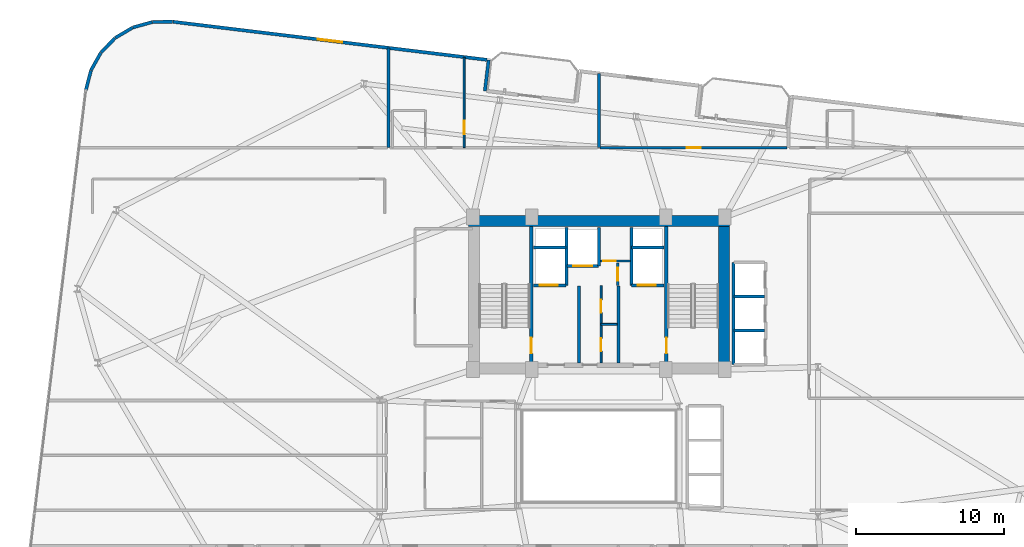
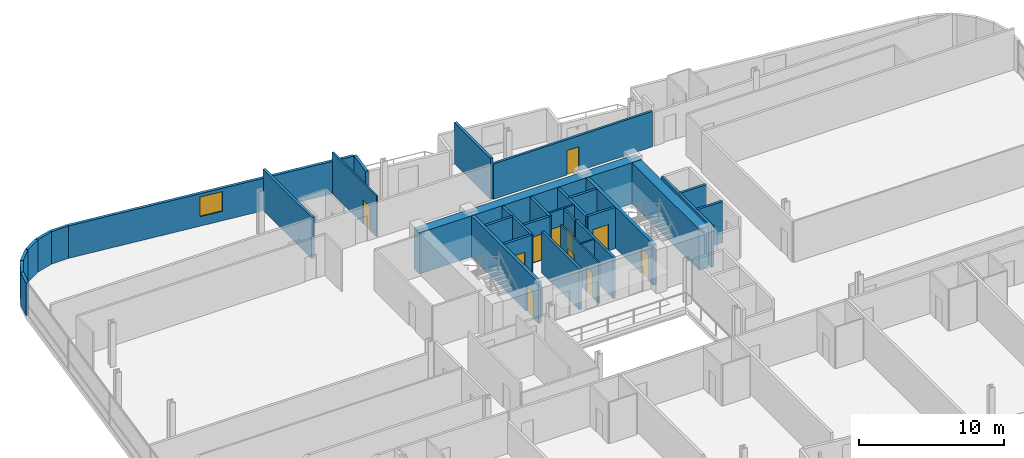
# One storey, part 22 of 26: 33 walls, 11 doors, 1 window, 12 openings.
"""IFC4 building model written with IfcOpenShell, lengths in metres."""

from ifc_helpers import new_model, si_unit, direction, frame, frame_2d, origin, place, context, subcontext, project, spatial, rectangle, extrude, material, layer, layer_set, type_object, element, fill, save


model = new_model("IFC4")

# Units and contexts
model_context = context("Model", 3, precision=1e-05, world=origin(), true_north=direction((0.0, 1.0)))
body_context = subcontext(model_context, "Body", "Model", "MODEL_VIEW")
ifc_project = project(units=[si_unit("LENGTHUNIT", "METRE"), si_unit("AREAUNIT", "SQUARE_METRE"), si_unit("VOLUMEUNIT", "CUBIC_METRE"), si_unit("PLANEANGLEUNIT", "RADIAN"), si_unit("MASSUNIT", "GRAM", prefix="KILO")], contexts=[model_context])

# Site, building, storey
site_placement = place(None, origin())
site = spatial("IfcSite", under=ifc_project, at=site_placement, CompositionType="ELEMENT")
building_placement = place(site_placement, origin())
building = spatial("IfcBuilding", under=site, at=building_placement, Name="Varnelok Gate Tower", CompositionType="ELEMENT")
storey_placement = place(building_placement, frame((0.0, 0.0, 147.60009765625)))
storey = spatial("IfcBuildingStorey", under=building, at=storey_placement, Name="L37", CompositionType="ELEMENT", Elevation=147.60009765625)

# Wall
ifc_material_1 = material(Name="Concrete C45/55", Category="concrete")
ifc_layer_1 = layer(ifc_material_1, 0.219970703125)
ifc_layer_set_1 = layer_set([ifc_layer_1], Name="Concrete C45/55")
wall_type_1 = type_object("IfcWallType", Name="EW-BALC-220", PredefinedType="SOLIDWALL", material=ifc_layer_set_1)
wall_1_placement = place(storey_placement, frame((31.50390625, 47.568115234375, 0.0), z_axis=(0.0, 0.0, 1.0), x_axis=(0.120341784665, 0.992732519294, 0.0)))
element("IfcWall", 1, at=wall_1_placement, inside=storey, type_object=wall_type_1, Name="L37 Perimeter Facade Closure Wall 31", PredefinedType="SOLIDWALL", context=body_context, shape_type="SweptSolid", body=[
    extrude(rectangle(XDim=2.099853515625, YDim=0.219970703125, at=frame_2d((1.0498046875, 0.0))), origin(), (0.0, 0.0, 1.0), 2.72998046875),
])

# Wall, opening, window
wall_2_placement = place(storey_placement, frame((31.632568359375, 49.667724609375, 0.0), z_axis=(0.0, 0.0, 1.0), x_axis=(-0.992731670483, 0.120348786531, 0.0)))
wall_2 = element("IfcWall", 2, at=wall_2_placement, inside=storey, type_object=wall_type_1, Name="L37 Perimeter Facade Closure Wall 32", PredefinedType="SOLIDWALL", context=body_context, shape_type="SweptSolid", body=[
    extrude(rectangle(XDim=21.34716796875, YDim=0.219970703125, at=frame_2d((10.673583984375, 0.0))), origin(), (0.0, 0.0, 1.0), 2.72998046875),
])
opening_1_placement = place(wall_2_placement, frame((9.8486328125, 0.0, 0.800048828125)))
opening_1 = element("IfcOpeningElement", 3, at=opening_1_placement, cuts=wall_2, Name="Opening WN3", PredefinedType="OPENING", context=body_context, shape_type="SweptSolid", body=[
    extrude(rectangle(XDim=1.64990234375, YDim=1.64990234375, at=frame_2d((0.824951171875, 0.824951171875))), frame((0.0, 0.119873046875, 0.0), z_axis=(0.0, -1.0, 0.0), x_axis=(1.0, 0.0, 0.0)), (0.0, 0.0, 1.0), 0.239990234375),
])
ifc_material_2 = material(Name="Low-E Laminated Double Glazing IGU", Category="glass")
window_type = type_object("IfcWindowType", Name="WN-HTL-1650", PartitioningType="SINGLE_PANEL", PredefinedType="WINDOW", material=ifc_material_2)
window_placement = place(opening_1_placement, origin())
window = element("IfcWindow", 4, at=window_placement, inside=storey, type_object=window_type, Name="L37 Perimeter Vision Window 32", OverallHeight=1.64990234375, OverallWidth=1.64990234375, PartitioningType="SINGLE_PANEL", PredefinedType="WINDOW", context=body_context, shape_type="SweptSolid", body=[
    extrude(rectangle(XDim=1.64990234375, YDim=1.64990234375, at=frame_2d((0.824951171875, 0.824951171875))), frame((0.0, 0.030029296875, 0.0), z_axis=(0.0, -1.0, 0.0), x_axis=(1.0, 0.0, 0.0)), (0.0, 0.0, 1.0), 0.06005859375),
])
fill(opening_1, window)

# Walls
wall_3_placement = place(storey_placement, frame((10.41552734375, 52.236572265625, 0.0), z_axis=(0.0, 0.0, 1.0), x_axis=(-0.999947718056, -0.010225514878, 0.0)))
element("IfcWall", 5, at=wall_3_placement, inside=storey, type_object=wall_type_1, Name="L37 Perimeter Facade Closure Wall 33", PredefinedType="SOLIDWALL", context=body_context, shape_type="SweptSolid", body=[
    extrude(rectangle(XDim=1.36083984375, YDim=0.219970703125, at=frame_2d((0.680419921875, 0.0))), origin(), (0.0, 0.0, 1.0), 2.72998046875),
])
for number, where, z_axis, x_axis, name in (
    (6, (9.030517578125, 52.2158203125, 0.0), (0.0, 0.0, 1.0), (-0.963227802828, -0.268686061898, 0.0), "L37 Perimeter Facade Closure Wall 34"),
    (7, (7.70556640625, 51.839599609375, 0.0), (0.0, 0.0, 1.0), (-0.860739665837, -0.509045408244, 0.0), "L37 Perimeter Facade Closure Wall 35"),
):
    element("IfcWall", number, at=place(storey_placement, frame(where, z_axis=z_axis, x_axis=x_axis)), inside=storey, type_object=wall_type_1, Name=name, PredefinedType="SOLIDWALL", context=body_context, shape_type="SweptSolid", body=[
        extrude(rectangle(XDim=1.35302734375, YDim=0.219970703125, at=frame_2d((0.676513671875, 0.0))), origin(), (0.0, 0.0, 1.0), 2.72998046875),
    ])
wall_4_placement = place(storey_placement, frame((6.5234375, 51.13330078125, 0.0), z_axis=(0.0, 0.0, 1.0), x_axis=(-0.699762925925, -0.714375144795, 0.0)))
element("IfcWall", 8, at=wall_4_placement, inside=storey, type_object=wall_type_1, Name="L37 Perimeter Facade Closure Wall 36", PredefinedType="SOLIDWALL", context=body_context, shape_type="SweptSolid", body=[
    extrude(rectangle(XDim=1.353271484375, YDim=0.219970703125, at=frame_2d((0.6767578125, 0.0))), origin(), (0.0, 0.0, 1.0), 2.72998046875),
])
wall_5_placement = place(storey_placement, frame((5.564208984375, 50.144775390625, 0.0), z_axis=(0.0, 0.0, 1.0), x_axis=(-0.491117621399, -0.871093268227, 0.0)))
element("IfcWall", 9, at=wall_5_placement, inside=storey, type_object=wall_type_1, Name="L37 Perimeter Facade Closure Wall 37", PredefinedType="SOLIDWALL", context=body_context, shape_type="SweptSolid", body=[
    extrude(rectangle(XDim=1.35302734375, YDim=0.219970703125, at=frame_2d((0.676513671875, 0.0))), origin(), (0.0, 0.0, 1.0), 2.72998046875),
])
wall_6_placement = place(storey_placement, frame((4.8935546875, 48.94189453125, 0.0), z_axis=(0.0, 0.0, 1.0), x_axis=(-0.248857256909, -0.968540172468, 0.0)))
element("IfcWall", 10, at=wall_6_placement, inside=storey, type_object=wall_type_1, Name="L37 Perimeter Facade Closure Wall 38", PredefinedType="SOLIDWALL", context=body_context, shape_type="SweptSolid", body=[
    extrude(rectangle(XDim=1.352783203125, YDim=0.219970703125, at=frame_2d((0.67626953125, 0.0))), origin(), (0.0, 0.0, 1.0), 2.72998046875),
])

# Wall, opening, door
ifc_material_3 = material(Name="Gypsum Plasterboard Acoustic Partition", Category="gypsum")
ifc_layer_2 = layer(ifc_material_3, 0.179931640625)
ifc_layer_set_2 = layer_set([ifc_layer_2], Name="Gypsum Plasterboard Acoustic Partition")
wall_type_2 = type_object("IfcWallType", Name="PW-CORR-180", PredefinedType="PARTITIONING", material=ifc_layer_set_2)
wall_7_placement = place(storey_placement, frame((39.280029296875, 43.72998046875, 0.0), z_axis=(0.0, 0.0, 1.0), x_axis=(1.0, 0.0, 0.0)))
wall_7 = element("IfcWall", 11, at=wall_7_placement, inside=storey, type_object=wall_type_2, Name="Interior Partition", PredefinedType="PARTITIONING", context=body_context, shape_type="SweptSolid", body=[
    extrude(rectangle(XDim=12.639892578125, YDim=0.179931640625, at=frame_2d((6.31982421875, 0.0))), origin(), (0.0, 0.0, 1.0), 2.971923828125),
])
opening_2_placement = place(wall_7_placement, frame((5.844970703125, 0.0, 0.0)))
opening_2 = element("IfcOpeningElement", 12, at=opening_2_placement, cuts=wall_7, Name="Opening D-I2", PredefinedType="OPENING", context=body_context, shape_type="SweptSolid", body=[
    extrude(rectangle(XDim=0.949951171875, YDim=2.050048828125, at=frame_2d((0.47509765625, 1.02490234375))), frame((0.0, 0.099853515625, 0.0), z_axis=(0.0, -1.0, 0.0), x_axis=(1.0, 0.0, 0.0)), (0.0, 0.0, 1.0), 0.199951171875),
])
ifc_material_4 = material(Name="Engineered Hardwood Timber", Category="wood")
door_type_1 = type_object("IfcDoorType", Name="DR-INT-950", OperationType="NOTDEFINED", PredefinedType="DOOR", material=ifc_material_4)
door_1_placement = place(opening_2_placement, origin())
door_1 = element("IfcDoor", 13, at=door_1_placement, inside=storey, type_object=door_type_1, Name="L37 Sky Library Door", OperationType="SINGLE_SWING_LEFT", OverallHeight=2.050048828125, OverallWidth=0.949951171875, PredefinedType="DOOR", context=body_context, shape_type="SweptSolid", body=[
    extrude(rectangle(XDim=0.949951171875, YDim=2.050048828125, at=frame_2d((0.47509765625, 1.02490234375))), frame((0.0, 0.02490234375, 0.0), z_axis=(0.0, -1.0, 0.0), x_axis=(1.0, 0.0, 0.0)), (0.0, 0.0, 1.0), 0.050048828125),
])
fill(opening_2, door_1)

ifc_layer_3 = layer(ifc_material_3, 0.125)
ifc_layer_set_3 = layer_set([ifc_layer_3], Name="Gypsum Plasterboard Acoustic Partition")
wall_type_3 = type_object("IfcWallType", Name="PW-PART-125", PredefinedType="PARTITIONING", material=ifc_layer_set_3)
wall_8_placement = place(storey_placement, frame((30.10009765625, 43.72998046875, 0.0), z_axis=(0.0, 0.0, 1.0), x_axis=(0.0, 1.0, 0.0)))
wall_8 = element("IfcWall", 14, at=wall_8_placement, inside=storey, type_object=wall_type_3, Name="Interior Partition", PredefinedType="PARTITIONING", context=body_context, shape_type="SweptSolid", body=[
    extrude(rectangle(XDim=6.103515625, YDim=0.125, at=frame_2d((3.0517578125, 0.0))), origin(), (0.0, 0.0, 1.0), 3.449951171875),
])
opening_3_placement = place(wall_8_placement, frame((0.89453125, 0.0, 0.0)))
opening_3 = element("IfcOpeningElement", 15, at=opening_3_placement, cuts=wall_8, Name="Opening D-I3", PredefinedType="OPENING", context=body_context, shape_type="SweptSolid", body=[
    extrude(rectangle(XDim=0.919921875, YDim=2.050048828125, at=frame_2d((0.4599609375, 1.02490234375))), frame((0.0, 0.072509765625, 0.0), z_axis=(0.0, -1.0, 0.0), x_axis=(1.0, 0.0, 0.0)), (0.0, 0.0, 1.0), 0.14501953125),
])
door_type_2 = type_object("IfcDoorType", Name="DR-INT-920", OperationType="NOTDEFINED", PredefinedType="DOOR", material=ifc_material_4)
door_2_placement = place(opening_3_placement, origin())
door_2 = element("IfcDoor", 16, at=door_2_placement, inside=storey, type_object=door_type_2, Name="L37 Suite Bedroom Door 9", OperationType="SINGLE_SWING_LEFT", OverallHeight=2.050048828125, OverallWidth=0.919921875, PredefinedType="DOOR", context=body_context, shape_type="SweptSolid", body=[
    extrude(rectangle(XDim=0.919921875, YDim=2.050048828125, at=frame_2d((0.4599609375, 1.02490234375))), frame((0.0, 0.02490234375, 0.0), z_axis=(0.0, -1.0, 0.0), x_axis=(1.0, 0.0, 0.0)), (0.0, 0.0, 1.0), 0.050048828125),
])
fill(opening_3, door_2)

# Wall
wall_9_placement = place(storey_placement, frame((39.35009765625, 31.800048828125, 0.0), z_axis=(0.0, 0.0, 1.0), x_axis=(1.0, 0.0, 0.0)))
element("IfcWall", 17, at=wall_9_placement, inside=storey, type_object=wall_type_3, Name="Interior Partition", PredefinedType="PARTITIONING", context=body_context, shape_type="SweptSolid", body=[
    extrude(rectangle(XDim=1.08984375, YDim=0.125, at=frame_2d((0.544921875, 0.0))), origin(), (0.0, 0.0, 1.0), 3.449951171875),
])

# Wall, openings, doors
wall_10_placement = place(storey_placement, frame((39.35009765625, 29.199951171875, 0.0), z_axis=(0.0, 0.0, 1.0), x_axis=(0.0, 1.0, 0.0)))
wall_10 = element("IfcWall", 18, at=wall_10_placement, inside=storey, type_object=wall_type_3, Name="Interior Partition", PredefinedType="PARTITIONING", context=body_context, shape_type="SweptSolid", body=[
    extrude(rectangle(XDim=5.219970703125, YDim=0.125, at=frame_2d((2.60986328125, 0.0))), origin(), (0.0, 0.0, 1.0), 3.449951171875),
])
opening_4_placement = place(wall_10_placement, frame((0.800048828125, 0.0, 0.0)))
opening_4 = element("IfcOpeningElement", 19, at=opening_4_placement, cuts=wall_10, Name="Opening D-RS", PredefinedType="OPENING", context=body_context, shape_type="SweptSolid", body=[
    extrude(rectangle(XDim=0.85009765625, YDim=2.050048828125, at=frame_2d((0.425048828125, 1.02490234375))), frame((0.0, 0.072509765625, 0.0), z_axis=(0.0, -1.0, 0.0), x_axis=(1.0, 0.0, 0.0)), (0.0, 0.0, 1.0), 0.14501953125),
])
opening_5_placement = place(wall_10_placement, frame((3.39990234375, 0.0, 0.0)))
opening_5 = element("IfcOpeningElement", 20, at=opening_5_placement, cuts=wall_10, Name="Opening D-RS", PredefinedType="OPENING", context=body_context, shape_type="SweptSolid", body=[
    extrude(rectangle(XDim=0.85009765625, YDim=2.050048828125, at=frame_2d((0.425048828125, 1.02490234375))), frame((0.0, 0.072509765625, 0.0), z_axis=(0.0, -1.0, 0.0), x_axis=(1.0, 0.0, 0.0)), (0.0, 0.0, 1.0), 0.14501953125),
])
ifc_material_5 = material(Name="Galvanized Steel Grade S350GD", Category="steel")
door_type_3 = type_object("IfcDoorType", Name="DR-RISER-850", OperationType="NOTDEFINED", PredefinedType="DOOR", material=ifc_material_5)
door_3_placement = place(opening_4_placement, origin())
door_3 = element("IfcDoor", 21, at=door_3_placement, inside=storey, type_object=door_type_3, Name="L37 Housekeeping Linen Door", OperationType="SINGLE_SWING_RIGHT", OverallHeight=2.050048828125, OverallWidth=0.85009765625, PredefinedType="DOOR", context=body_context, shape_type="SweptSolid", body=[
    extrude(rectangle(XDim=0.85009765625, YDim=2.050048828125, at=frame_2d((0.425048828125, 1.02490234375))), frame((0.0, 0.02490234375, 0.0), z_axis=(0.0, -1.0, 0.0), x_axis=(1.0, 0.0, 0.0)), (0.0, 0.0, 1.0), 0.050048828125),
])
fill(opening_4, door_3)
door_4_placement = place(opening_5_placement, origin())
door_4 = element("IfcDoor", 22, at=door_4_placement, inside=storey, type_object=door_type_3, Name="L37 Core Supply Door", OperationType="SINGLE_SWING_LEFT", OverallHeight=2.050048828125, OverallWidth=0.85009765625, PredefinedType="DOOR", context=body_context, shape_type="SweptSolid", body=[
    extrude(rectangle(XDim=0.85009765625, YDim=2.050048828125, at=frame_2d((0.425048828125, 1.02490234375))), frame((0.0, 0.02490234375, 0.0), z_axis=(0.0, -1.0, 0.0), x_axis=(1.0, 0.0, 0.0)), (0.0, 0.0, 1.0), 0.050048828125),
])
fill(opening_5, door_4)

# Wall, opening, door
ifc_layer_4 = layer(ifc_material_3, 0.14990234375)
ifc_layer_set_4 = layer_set([ifc_layer_4], Name="Gypsum Plasterboard Acoustic Partition")
wall_type_4 = type_object("IfcWallType", Name="PW-PART-150", PredefinedType="PARTITIONING", material=ifc_layer_set_4)
wall_11_placement = place(storey_placement, frame((39.300048828125, 36.080078125, 0.0), z_axis=(0.0, 0.0, 1.0), x_axis=(1.0, 0.0, 0.0)))
wall_11 = element("IfcWall", 23, at=wall_11_placement, inside=storey, type_object=wall_type_4, Name="L37 Electrical Closet South Wall", PredefinedType="PARTITIONING", context=body_context, shape_type="SweptSolid", body=[
    extrude(rectangle(XDim=2.02001953125, YDim=0.14990234375, at=frame_2d((1.010009765625, 0.0))), origin(), (0.0, 0.0, 1.0), 3.449951171875),
])
opening_6_placement = place(wall_11_placement, frame((0.179931640625, 0.0, 0.0)))
opening_6 = element("IfcOpeningElement", 24, at=opening_6_placement, cuts=wall_11, Name="Opening D-RS", PredefinedType="OPENING", context=body_context, shape_type="SweptSolid", body=[
    extrude(rectangle(XDim=0.85009765625, YDim=2.050048828125, at=frame_2d((0.425048828125, 1.02490234375))), frame((0.0, 0.0849609375, 0.0), z_axis=(0.0, -1.0, 0.0), x_axis=(1.0, 0.0, 0.0)), (0.0, 0.0, 1.0), 0.169921875),
])
door_5_placement = place(opening_6_placement, origin())
door_5 = element("IfcDoor", 25, at=door_5_placement, inside=storey, type_object=door_type_3, Name="L37 Electrical Closet Door", OperationType="SINGLE_SWING_RIGHT", OverallHeight=2.050048828125, OverallWidth=0.85009765625, PredefinedType="DOOR", context=body_context, shape_type="SweptSolid", body=[
    extrude(rectangle(XDim=0.85009765625, YDim=2.050048828125, at=frame_2d((0.425048828125, 1.02490234375))), frame((0.0, 0.02490234375, 0.0), z_axis=(0.0, -1.0, 0.0), x_axis=(1.0, 0.0, 0.0)), (0.0, 0.0, 1.0), 0.050048828125),
])
fill(opening_6, door_5)

wall_12_placement = place(storey_placement, frame((40.47998046875, 34.43994140625, 0.0), z_axis=(0.0, 0.0, 1.0), x_axis=(0.0, 1.0, 0.0)))
wall_12 = element("IfcWall", 26, at=wall_12_placement, inside=storey, type_object=wall_type_4, Name="L37 Telecoms Closet West Wall", PredefinedType="PARTITIONING", context=body_context, shape_type="SweptSolid", body=[
    extrude(rectangle(XDim=1.52001953125, YDim=0.14990234375, at=frame_2d((0.760009765625, 0.0))), origin(), (0.0, 0.0, 1.0), 3.449951171875),
])
opening_7_placement = place(wall_12_placement, frame((0.320068359375, 0.0, 0.0)))
opening_7 = element("IfcOpeningElement", 27, at=opening_7_placement, cuts=wall_12, Name="Opening D-RS", PredefinedType="OPENING", context=body_context, shape_type="SweptSolid", body=[
    extrude(rectangle(XDim=0.85009765625, YDim=2.050048828125, at=frame_2d((0.425048828125, 1.02490234375))), frame((0.0, 0.0849609375, 0.0), z_axis=(0.0, -1.0, 0.0), x_axis=(1.0, 0.0, 0.0)), (0.0, 0.0, 1.0), 0.169921875),
])
door_6_placement = place(opening_7_placement, origin())
door_6 = element("IfcDoor", 28, at=door_6_placement, inside=storey, type_object=door_type_3, Name="L37 Telecoms Closet Door", OperationType="SINGLE_SWING_LEFT", OverallHeight=2.050048828125, OverallWidth=0.85009765625, PredefinedType="DOOR", context=body_context, shape_type="SweptSolid", body=[
    extrude(rectangle(XDim=0.85009765625, YDim=2.050048828125, at=frame_2d((0.425048828125, 1.02490234375))), frame((0.0, 0.02490234375, 0.0), z_axis=(0.0, -1.0, 0.0), x_axis=(1.0, 0.0, 0.0)), (0.0, 0.0, 1.0), 0.050048828125),
])
fill(opening_7, door_6)

# Walls
ifc_layer_5 = layer(ifc_material_3, 0.205078125)
ifc_layer_set_5 = layer_set([ifc_layer_5], Name="Gypsum Plasterboard Acoustic Partition")
wall_type_5 = type_object("IfcWallType", Name="PW-PARTY-200", PredefinedType="PARTITIONING", material=ifc_layer_set_5)
wall_13_placement = place(storey_placement, frame((25.0, 43.72998046875, 0.0), z_axis=(0.0, 0.0, 1.0), x_axis=(0.0, 1.0, 0.0)))
element("IfcWall", 29, at=wall_13_placement, inside=storey, type_object=wall_type_5, Name="L37 North Party Wall 1", PredefinedType="PARTITIONING", context=body_context, shape_type="SweptSolid", body=[
    extrude(rectangle(XDim=6.7216796875, YDim=0.205078125, at=frame_2d((3.36083984375, 0.0))), origin(), (0.0, 0.0, 1.0), 3.449951171875),
])
wall_14_placement = place(storey_placement, frame((39.199951171875, 43.72998046875, 0.0), z_axis=(0.0, 0.0, 1.0), x_axis=(0.0, 1.0, 0.0)))
element("IfcWall", 30, at=wall_14_placement, inside=storey, type_object=wall_type_5, Name="L37 North Party Wall 2", PredefinedType="PARTITIONING", context=body_context, shape_type="SweptSolid", body=[
    extrude(rectangle(XDim=5.000244140625, YDim=0.205078125, at=frame_2d((2.5, 0.0))), origin(), (0.0, 0.0, 1.0), 3.449951171875),
])
ifc_material_6 = material(Name="Concrete C35/45", Category="concrete")
ifc_layer_6 = layer(ifc_material_6, 0.199951171875)
ifc_layer_set_6 = layer_set([ifc_layer_6], Name="Concrete C35/45")
wall_type_6 = type_object("IfcWallType", Name="PW-SHAFT-200", PredefinedType="PARTITIONING", material=ifc_layer_set_6)
for number, where, z_axis, x_axis, name in (
    (31, (37.860107421875, 29.199951171875, 0.0), (0.0, 0.0, 1.0), (0.0, 1.0, 0.0), "L37 West FF Lobby Rated Wall"),
    (32, (40.5400390625, 29.199951171875, 0.0), (0.0, 0.0, 1.0), (0.0, 1.0, 0.0), "L37 East FF Lobby Rated Wall"),
):
    element("IfcWall", number, at=place(storey_placement, frame(where, z_axis=z_axis, x_axis=x_axis)), inside=storey, type_object=wall_type_6, Name=name, PredefinedType="PARTITIONING", context=body_context, shape_type="SweptSolid", body=[
        extrude(rectangle(XDim=5.179931640625, YDim=0.199951171875, at=frame_2d((2.58984375, 0.0))), origin(), (0.0, 0.0, 1.0), 3.449951171875),
    ])

# Wall, opening, door
wall_15_placement = place(storey_placement, frame((34.800048828125, 34.43994140625, 0.0), z_axis=(0.0, 0.0, 1.0), x_axis=(1.0, 0.0, 0.0)))
wall_15 = element("IfcWall", 33, at=wall_15_placement, inside=storey, type_object=wall_type_6, Name="L37 FF1 Shaft Front Wall", PredefinedType="PARTITIONING", context=body_context, shape_type="SweptSolid", body=[
    extrude(rectangle(XDim=2.179931640625, YDim=0.199951171875, at=frame_2d((1.08984375, 0.0))), origin(), (0.0, 0.0, 1.0), 3.449951171875),
])
opening_8_placement = place(wall_15_placement, frame((0.419921875, 0.0, 0.0)))
opening_8 = element("IfcOpeningElement", 34, at=opening_8_placement, cuts=wall_15, Name="Opening LD-FF1", PredefinedType="OPENING", context=body_context, shape_type="SweptSolid", body=[
    extrude(rectangle(XDim=1.199951171875, YDim=2.199951171875, at=frame_2d((0.60009765625, 1.10009765625))), frame((0.0, 0.10986328125, 0.0), z_axis=(0.0, -1.0, 0.0), x_axis=(1.0, 0.0, 0.0)), (0.0, 0.0, 1.0), 0.219970703125),
])
door_type_4 = type_object("IfcDoorType", Name="DR-LIFT-FF1200", OperationType="SLIDING_TO_LEFT", PredefinedType="DOOR", material=ifc_material_5)
door_7_placement = place(opening_8_placement, origin())
door_7 = element("IfcDoor", 35, at=door_7_placement, inside=storey, type_object=door_type_4, Name="L37 Firefighting Lift Landing Door LD-FF1", OperationType="SLIDING_TO_LEFT", OverallHeight=2.199951171875, OverallWidth=1.199951171875, PredefinedType="DOOR", context=body_context, shape_type="SweptSolid", body=[
    extrude(rectangle(XDim=1.199951171875, YDim=2.199951171875, at=frame_2d((0.60009765625, 1.10009765625))), frame((0.0, 0.02490234375, 0.0), z_axis=(0.0, -1.0, 0.0), x_axis=(1.0, 0.0, 0.0)), (0.0, 0.0, 1.0), 0.050048828125),
])
fill(opening_8, door_7)

# Walls
wall_16_placement = place(storey_placement, frame((34.800048828125, 36.97998046875, 0.0), z_axis=(0.0, 0.0, 1.0), x_axis=(1.0, 0.0, 0.0)))
element("IfcWall", 36, at=wall_16_placement, inside=storey, type_object=wall_type_6, Name="L37 FF1 Shaft North Wall", PredefinedType="PARTITIONING", context=body_context, shape_type="SweptSolid", body=[
    extrude(rectangle(XDim=2.179931640625, YDim=0.199951171875, at=frame_2d((1.08984375, 0.0))), origin(), (0.0, 0.0, 1.0), 3.449951171875),
])
wall_17_placement = place(storey_placement, frame((37.0, 34.43994140625, 0.0), z_axis=(0.0, 0.0, 1.0), x_axis=(0.0, 1.0, 0.0)))
element("IfcWall", 37, at=wall_17_placement, inside=storey, type_object=wall_type_6, Name="L37 FF1 Shaft Side Wall", PredefinedType="PARTITIONING", context=body_context, shape_type="SweptSolid", body=[
    extrude(rectangle(XDim=3.900146484375, YDim=0.199951171875, at=frame_2d((1.9501953125, 0.0))), origin(), (0.0, 0.0, 1.0), 3.449951171875),
])

# Wall, opening, door
wall_18_placement = place(storey_placement, frame((41.419921875, 34.43994140625, 0.0), z_axis=(0.0, 0.0, 1.0), x_axis=(1.0, 0.0, 0.0)))
wall_18 = element("IfcWall", 38, at=wall_18_placement, inside=storey, type_object=wall_type_6, Name="L37 FF2 Shaft Front Wall", PredefinedType="PARTITIONING", context=body_context, shape_type="SweptSolid", body=[
    extrude(rectangle(XDim=2.18017578125, YDim=0.199951171875, at=frame_2d((1.090087890625, 0.0))), origin(), (0.0, 0.0, 1.0), 3.449951171875),
])
opening_9_placement = place(wall_18_placement, frame((0.419921875, 0.0, 0.0)))
opening_9 = element("IfcOpeningElement", 39, at=opening_9_placement, cuts=wall_18, Name="Opening LD-FF2", PredefinedType="OPENING", context=body_context, shape_type="SweptSolid", body=[
    extrude(rectangle(XDim=1.199951171875, YDim=2.199951171875, at=frame_2d((0.60009765625, 1.10009765625))), frame((0.0, 0.10986328125, 0.0), z_axis=(0.0, -1.0, 0.0), x_axis=(1.0, 0.0, 0.0)), (0.0, 0.0, 1.0), 0.219970703125),
])
door_8_placement = place(opening_9_placement, origin())
door_8 = element("IfcDoor", 40, at=door_8_placement, inside=storey, type_object=door_type_4, Name="L37 Firefighting Lift Landing Door LD-FF2", OperationType="SLIDING_TO_LEFT", OverallHeight=2.199951171875, OverallWidth=1.199951171875, PredefinedType="DOOR", context=body_context, shape_type="SweptSolid", body=[
    extrude(rectangle(XDim=1.199951171875, YDim=2.199951171875, at=frame_2d((0.60009765625, 1.10009765625))), frame((0.0, 0.02490234375, 0.0), z_axis=(0.0, -1.0, 0.0), x_axis=(1.0, 0.0, 0.0)), (0.0, 0.0, 1.0), 0.050048828125),
])
fill(opening_9, door_8)

# Walls
wall_19_placement = place(storey_placement, frame((41.419921875, 36.97998046875, 0.0), z_axis=(0.0, 0.0, 1.0), x_axis=(1.0, 0.0, 0.0)))
element("IfcWall", 41, at=wall_19_placement, inside=storey, type_object=wall_type_6, Name="L37 FF2 Shaft North Wall", PredefinedType="PARTITIONING", context=body_context, shape_type="SweptSolid", body=[
    extrude(rectangle(XDim=2.18017578125, YDim=0.199951171875, at=frame_2d((1.090087890625, 0.0))), origin(), (0.0, 0.0, 1.0), 3.449951171875),
])
wall_20_placement = place(storey_placement, frame((41.39990234375, 34.43994140625, 0.0), z_axis=(0.0, 0.0, 1.0), x_axis=(0.0, 1.0, 0.0)))
element("IfcWall", 42, at=wall_20_placement, inside=storey, type_object=wall_type_6, Name="L37 FF2 Shaft Side Wall", PredefinedType="PARTITIONING", context=body_context, shape_type="SweptSolid", body=[
    extrude(rectangle(XDim=3.900146484375, YDim=0.199951171875, at=frame_2d((1.9501953125, 0.0))), origin(), (0.0, 0.0, 1.0), 3.449951171875),
])

# Wall, opening, door
wall_21_placement = place(storey_placement, frame((37.06005859375, 35.75, 0.0), z_axis=(0.0, 0.0, 1.0), x_axis=(1.0, 0.0, 0.0)))
wall_21 = element("IfcWall", 43, at=wall_21_placement, inside=storey, type_object=wall_type_6, Name="L37 SV1 Shaft Front Wall", PredefinedType="PARTITIONING", context=body_context, shape_type="SweptSolid", body=[
    extrude(rectangle(XDim=2.119873046875, YDim=0.199951171875, at=frame_2d((1.06005859375, 0.0))), origin(), (0.0, 0.0, 1.0), 3.449951171875),
])
opening_10_placement = place(wall_21_placement, frame((0.39990234375, 0.0, 0.0)))
opening_10 = element("IfcOpeningElement", 44, at=opening_10_placement, cuts=wall_21, Name="Opening LD-SV1", PredefinedType="OPENING", context=body_context, shape_type="SweptSolid", body=[
    extrude(rectangle(XDim=1.300048828125, YDim=2.199951171875, at=frame_2d((0.64990234375, 1.10009765625))), frame((0.0, 0.10986328125, 0.0), z_axis=(0.0, -1.0, 0.0), x_axis=(1.0, 0.0, 0.0)), (0.0, 0.0, 1.0), 0.219970703125),
])
door_type_5 = type_object("IfcDoorType", Name="DR-LIFT-SV1300", OperationType="SLIDING_TO_LEFT", PredefinedType="DOOR", material=ifc_material_5)
door_9_placement = place(opening_10_placement, origin())
door_9 = element("IfcDoor", 45, at=door_9_placement, inside=storey, type_object=door_type_5, Name="L37 Service Lift Landing Door LD-SV1", OperationType="SLIDING_TO_LEFT", OverallHeight=2.199951171875, OverallWidth=1.300048828125, PredefinedType="DOOR", context=body_context, shape_type="SweptSolid", body=[
    extrude(rectangle(XDim=1.300048828125, YDim=2.199951171875, at=frame_2d((0.64990234375, 1.10009765625))), frame((0.0, 0.02490234375, 0.0), z_axis=(0.0, -1.0, 0.0), x_axis=(1.0, 0.0, 0.0)), (0.0, 0.0, 1.0), 0.050048828125),
])
fill(opening_10, door_9)

# Walls
wall_22_placement = place(storey_placement, frame((39.219970703125, 35.75, 0.0), z_axis=(0.0, 0.0, 1.0), x_axis=(0.0, 1.0, 0.0)))
element("IfcWall", 46, at=wall_22_placement, inside=storey, type_object=wall_type_6, Name="L37 SV1 Shaft East Wall", PredefinedType="PARTITIONING", context=body_context, shape_type="SweptSolid", body=[
    extrude(rectangle(XDim=2.590087890625, YDim=0.199951171875, at=frame_2d((1.294921875, 0.0))), origin(), (0.0, 0.0, 1.0), 3.449951171875),
])
for number, where, z_axis, x_axis, name in (
    (47, (48.320068359375, 31.375, 0.0), (0.0, 0.0, 1.0), (1.0, 0.0, 0.0), "L37 PM1 Divider"),
    (48, (48.320068359375, 33.675048828125, 0.0), (0.0, 0.0, 1.0), (1.0, 0.0, 0.0), "L37 PM2 Divider"),
):
    element("IfcWall", number, at=place(storey_placement, frame(where, z_axis=z_axis, x_axis=x_axis)), inside=storey, type_object=wall_type_6, Name=name, PredefinedType="PARTITIONING", context=body_context, shape_type="SweptSolid", body=[
        extrude(rectangle(XDim=2.059814453125, YDim=0.199951171875, at=frame_2d((1.02978515625, 0.0))), origin(), (0.0, 0.0, 1.0), 3.449951171875),
    ])
wall_23_placement = place(storey_placement, frame((48.280029296875, 29.080078125, 0.0), z_axis=(0.0, 0.0, 1.0), x_axis=(0.0, 1.0, 0.0)))
element("IfcWall", 49, at=wall_23_placement, inside=storey, type_object=wall_type_6, Name="L37 PM Bank Back Wall", PredefinedType="PARTITIONING", context=body_context, shape_type="SweptSolid", body=[
    extrude(rectangle(XDim=6.889892578125, YDim=0.199951171875, at=frame_2d((3.44482421875, 0.0))), origin(), (0.0, 0.0, 1.0), 3.449951171875),
])
ifc_material_7 = material(Name="Concrete C70/85", Category="concrete")
ifc_layer_7 = layer(ifc_material_7, 0.75)
ifc_layer_set_7 = layer_set([ifc_layer_7], Name="Concrete C70/85")
wall_type_7 = type_object("IfcWallType", Name="SW-CORE-750", PredefinedType="SHEAR", material=ifc_layer_set_7)
wall_24_placement = place(storey_placement, frame((30.3798828125, 38.794921875, 0.0), z_axis=(0.0, 0.0, 1.0), x_axis=(1.0, 0.0, 0.0)))
element("IfcWall", 50, at=wall_24_placement, inside=storey, type_object=wall_type_7, Name="L37 Rear Core North Shear Wall", PredefinedType="SHEAR", context=body_context, shape_type="SweptSolid", body=[
    extrude(rectangle(XDim=17.64013671875, YDim=0.75, at=frame_2d((8.820068359375, 0.0))), origin(), (0.0, 0.0, 1.0), 3.449951171875),
])
wall_25_placement = place(storey_placement, frame((47.64501953125, 29.199951171875, 0.0), z_axis=(0.0, 0.0, 1.0), x_axis=(0.0, 1.0, 0.0)))
element("IfcWall", 51, at=wall_25_placement, inside=storey, type_object=wall_type_7, Name="L37 Rear Core East Shear Wall", PredefinedType="SHEAR", context=body_context, shape_type="SweptSolid", body=[
    extrude(rectangle(XDim=9.219970703125, YDim=0.75, at=frame_2d((4.60986328125, 0.0))), origin(), (0.0, 0.0, 1.0), 3.449951171875),
])

# Wall, opening, door
ifc_material_8 = material(Name="Concrete C60/75", Category="concrete")
ifc_layer_8 = layer(ifc_material_8, 0.25)
ifc_layer_set_8 = layer_set([ifc_layer_8], Name="Concrete C60/75")
wall_type_8 = type_object("IfcWallType", Name="SW-SHAFT-250", PredefinedType="SHEAR", material=ifc_layer_set_8)
wall_26_placement = place(storey_placement, frame((34.639892578125, 29.199951171875, 0.0), z_axis=(0.0, 0.0, 1.0), x_axis=(0.0, 1.0, 0.0)))
wall_26 = element("IfcWall", 52, at=wall_26_placement, inside=storey, type_object=wall_type_8, Name="L37 Stair ST-1 East Shear Wall", PredefinedType="SHEAR", context=body_context, shape_type="SweptSolid", body=[
    extrude(rectangle(XDim=9.219970703125, YDim=0.25, at=frame_2d((4.60986328125, 0.0))), origin(), (0.0, 0.0, 1.0), 3.449951171875),
])
opening_11_placement = place(wall_26_placement, frame((0.64990234375, 0.0, 0.0)))
opening_11 = element("IfcOpeningElement", 53, at=opening_11_placement, cuts=wall_26, Name="Opening D-ST", PredefinedType="OPENING", context=body_context, shape_type="SweptSolid", body=[
    extrude(rectangle(XDim=1.050048828125, YDim=2.14990234375, at=frame_2d((0.52490234375, 1.074951171875))), frame((0.0, 0.135009765625, 0.0), z_axis=(0.0, -1.0, 0.0), x_axis=(1.0, 0.0, 0.0)), (0.0, 0.0, 1.0), 0.27001953125),
])
door_type_6 = type_object("IfcDoorType", Name="DR-STAIR-1050", OperationType="NOTDEFINED", PredefinedType="DOOR", material=ifc_material_5)
door_10_placement = place(opening_11_placement, origin())
door_10 = element("IfcDoor", 54, at=door_10_placement, inside=storey, type_object=door_type_6, Name="L37 Exit Stair ST-1 Fire Door", OperationType="SINGLE_SWING_LEFT", OverallHeight=2.14990234375, OverallWidth=1.050048828125, PredefinedType="DOOR", context=body_context, shape_type="SweptSolid", body=[
    extrude(rectangle(XDim=1.050048828125, YDim=2.14990234375, at=frame_2d((0.52490234375, 1.074951171875))), frame((0.0, 0.02490234375, 0.0), z_axis=(0.0, -1.0, 0.0), x_axis=(1.0, 0.0, 0.0)), (0.0, 0.0, 1.0), 0.050048828125),
])
fill(opening_11, door_10)

wall_27_placement = place(storey_placement, frame((43.760009765625, 29.199951171875, 0.0), z_axis=(0.0, 0.0, 1.0), x_axis=(0.0, 1.0, 0.0)))
wall_27 = element("IfcWall", 55, at=wall_27_placement, inside=storey, type_object=wall_type_8, Name="L37 Stair ST-2 West Shear Wall", PredefinedType="SHEAR", context=body_context, shape_type="SweptSolid", body=[
    extrude(rectangle(XDim=9.219970703125, YDim=0.25, at=frame_2d((4.60986328125, 0.0))), origin(), (0.0, 0.0, 1.0), 3.449951171875),
])
opening_12_placement = place(wall_27_placement, frame((0.64990234375, 0.0, 0.0)))
opening_12 = element("IfcOpeningElement", 56, at=opening_12_placement, cuts=wall_27, Name="Opening D-ST", PredefinedType="OPENING", context=body_context, shape_type="SweptSolid", body=[
    extrude(rectangle(XDim=1.050048828125, YDim=2.14990234375, at=frame_2d((0.52490234375, 1.074951171875))), frame((0.0, 0.135009765625, 0.0), z_axis=(0.0, -1.0, 0.0), x_axis=(1.0, 0.0, 0.0)), (0.0, 0.0, 1.0), 0.27001953125),
])
door_11_placement = place(opening_12_placement, origin())
door_11 = element("IfcDoor", 57, at=door_11_placement, inside=storey, type_object=door_type_6, Name="L37 Exit Stair ST-2 Fire Door", OperationType="SINGLE_SWING_RIGHT", OverallHeight=2.14990234375, OverallWidth=1.050048828125, PredefinedType="DOOR", context=body_context, shape_type="SweptSolid", body=[
    extrude(rectangle(XDim=1.050048828125, YDim=2.14990234375, at=frame_2d((0.52490234375, 1.074951171875))), frame((0.0, 0.02490234375, 0.0), z_axis=(0.0, -1.0, 0.0), x_axis=(1.0, 0.0, 0.0)), (0.0, 0.0, 1.0), 0.050048828125),
])
fill(opening_12, door_11)

save(model, "model.ifc")
